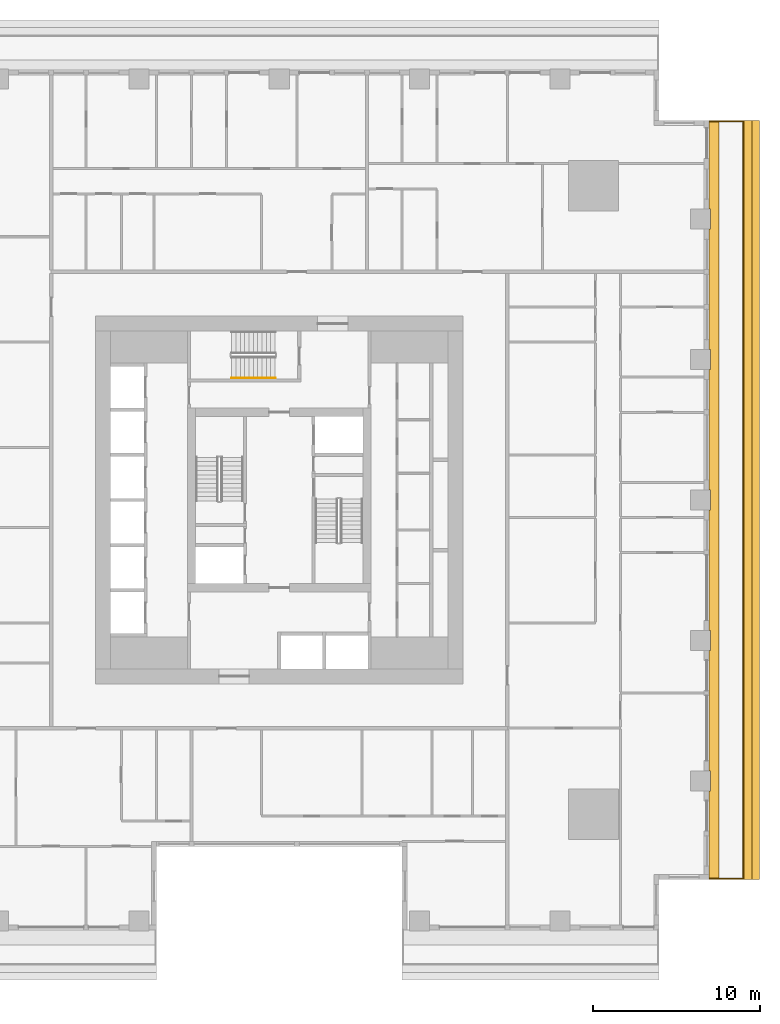
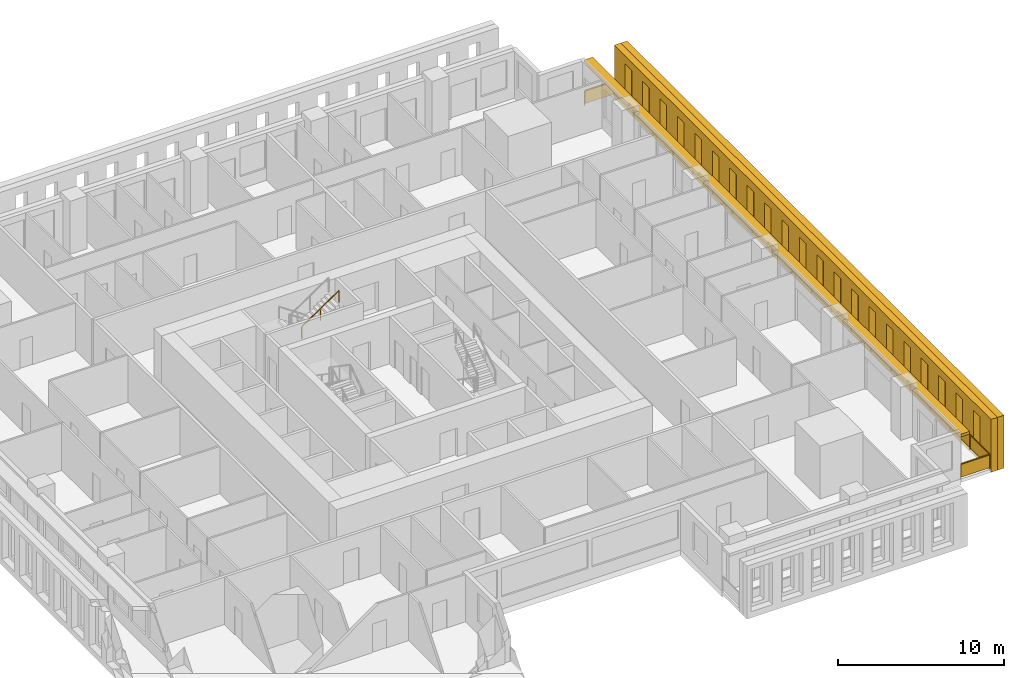
# One storey, part 13 of 15: 3 shading devices, 2 railings.
"""IFC4 building model written with IfcOpenShell, lengths in metres."""

from ifc_helpers import new_model, si_unit, direction, frame, origin, origin_2d, place, context, subcontext, project, spatial, polyline, rectangle, outline, extrude, material, layer, layer_set, type_object, element, save


model = new_model("IFC4")

# Units and contexts
model_context = context("Model", 3, precision=1e-05, world=origin(), true_north=direction((0.0, 1.0)))
body_context = subcontext(model_context, "Body", "Model", "MODEL_VIEW")
ifc_project = project(units=[si_unit("LENGTHUNIT", "METRE"), si_unit("AREAUNIT", "SQUARE_METRE"), si_unit("VOLUMEUNIT", "CUBIC_METRE"), si_unit("PLANEANGLEUNIT", "RADIAN"), si_unit("MASSUNIT", "GRAM", prefix="KILO")], contexts=[model_context])

# Site, building, storey
site_placement = place(None, origin())
site = spatial("IfcSite", under=ifc_project, at=site_placement, CompositionType="ELEMENT")
building_placement = place(site_placement, origin())
building = spatial("IfcBuilding", under=site, at=building_placement, Name="Khepri Terraces", CompositionType="ELEMENT")
storey_placement = place(building_placement, frame((0.0, 0.0, 46.5)))
storey = spatial("IfcBuildingStorey", under=building, at=storey_placement, Name="L10", CompositionType="ELEMENT", Elevation=46.5)

# Railings
ifc_material_1 = material(Name="Stainless steel grade 316", Category="steel")
railing_type_1 = type_object("IfcRailingType", Name="GRD-BAL-1100", PredefinedType="GUARDRAIL", material=ifc_material_1)
railing_1_placement = place(storey_placement, frame((25.719970703125, -22.669921875, 0.0)))
element("IfcRailing", 1, at=railing_1_placement, inside=storey, type_object=railing_type_1, Name="Balcony guard L10 E", PredefinedType="GUARDRAIL", context=body_context, shape_type="SweptSolid", body=[
    extrude(rectangle(XDim=0.050048828125, YDim=0.06005859375, at=origin_2d()), frame((0.0, 0.0, 1.070068359375), z_axis=(1.0, 0.0, 0.0), x_axis=(0.0, 1.0, 0.0)), (0.0, 0.0, 1.0), 2.050048828125),
    extrude(rectangle(XDim=2.0, YDim=0.011962890625, at=origin_2d()), frame((1.02490234375, 0.0, 0.10009765625), z_axis=(0.0, 0.0, 1.0), x_axis=(1.0, 0.0, 0.0)), (0.0, 0.0, 1.0), 0.93994140625),
    extrude(rectangle(XDim=0.050048828125, YDim=0.06005859375, at=origin_2d()), frame((2.050048828125, 0.0, 1.070068359375), z_axis=(0.0, 1.0, 0.0), x_axis=(-1.0, 0.0, 0.0)), (0.0, 0.0, 1.0), 45.33984375),
    extrude(rectangle(XDim=2.336181640625, YDim=0.011962890625, at=origin_2d()), frame((2.050048828125, 1.193115234375, 0.10009765625), z_axis=(0.0, 0.0, 1.0), x_axis=(0.0, 1.0, 0.0)), (0.0, 0.0, 1.0), 0.93994140625),
    extrude(rectangle(XDim=2.336181640625, YDim=0.011962890625, at=origin_2d()), frame((2.050048828125, 3.579345703125, 0.10009765625), z_axis=(0.0, 0.0, 1.0), x_axis=(0.0, 1.0, 0.0)), (0.0, 0.0, 1.0), 0.93994140625),
    extrude(rectangle(XDim=2.336181640625, YDim=0.011962890625, at=origin_2d()), frame((2.050048828125, 5.9658203125, 0.10009765625), z_axis=(0.0, 0.0, 1.0), x_axis=(0.0, 1.0, 0.0)), (0.0, 0.0, 1.0), 0.93994140625),
    extrude(rectangle(XDim=2.336181640625, YDim=0.011962890625, at=origin_2d()), frame((2.050048828125, 8.35205078125, 0.10009765625), z_axis=(0.0, 0.0, 1.0), x_axis=(0.0, 1.0, 0.0)), (0.0, 0.0, 1.0), 0.93994140625),
    extrude(rectangle(XDim=2.336181640625, YDim=0.011962890625, at=origin_2d()), frame((2.050048828125, 10.73828125, 0.10009765625), z_axis=(0.0, 0.0, 1.0), x_axis=(0.0, 1.0, 0.0)), (0.0, 0.0, 1.0), 0.93994140625),
    extrude(rectangle(XDim=2.336181640625, YDim=0.011962890625, at=origin_2d()), frame((2.050048828125, 13.124755859375, 0.10009765625), z_axis=(0.0, 0.0, 1.0), x_axis=(0.0, 1.0, 0.0)), (0.0, 0.0, 1.0), 0.93994140625),
    extrude(rectangle(XDim=2.336181640625, YDim=0.011962890625, at=origin_2d()), frame((2.050048828125, 15.510986328125, 0.10009765625), z_axis=(0.0, 0.0, 1.0), x_axis=(0.0, 1.0, 0.0)), (0.0, 0.0, 1.0), 0.93994140625),
    extrude(rectangle(XDim=2.336181640625, YDim=0.011962890625, at=origin_2d()), frame((2.050048828125, 17.897216796875, 0.10009765625), z_axis=(0.0, 0.0, 1.0), x_axis=(0.0, 1.0, 0.0)), (0.0, 0.0, 1.0), 0.93994140625),
    extrude(rectangle(XDim=2.336181640625, YDim=0.011962890625, at=origin_2d()), frame((2.050048828125, 20.28369140625, 0.10009765625), z_axis=(0.0, 0.0, 1.0), x_axis=(0.0, 1.0, 0.0)), (0.0, 0.0, 1.0), 0.93994140625),
    extrude(rectangle(XDim=2.336181640625, YDim=0.011962890625, at=origin_2d()), frame((2.050048828125, 22.669921875, 0.10009765625), z_axis=(0.0, 0.0, 1.0), x_axis=(0.0, 1.0, 0.0)), (0.0, 0.0, 1.0), 0.93994140625),
    extrude(rectangle(XDim=2.336181640625, YDim=0.011962890625, at=origin_2d()), frame((2.050048828125, 25.05615234375, 0.10009765625), z_axis=(0.0, 0.0, 1.0), x_axis=(0.0, 1.0, 0.0)), (0.0, 0.0, 1.0), 0.93994140625),
    extrude(rectangle(XDim=2.336181640625, YDim=0.011962890625, at=origin_2d()), frame((2.050048828125, 27.442626953125, 0.10009765625), z_axis=(0.0, 0.0, 1.0), x_axis=(0.0, 1.0, 0.0)), (0.0, 0.0, 1.0), 0.93994140625),
    extrude(rectangle(XDim=2.336181640625, YDim=0.011962890625, at=origin_2d()), frame((2.050048828125, 29.828857421875, 0.10009765625), z_axis=(0.0, 0.0, 1.0), x_axis=(0.0, 1.0, 0.0)), (0.0, 0.0, 1.0), 0.93994140625),
    extrude(rectangle(XDim=2.336181640625, YDim=0.011962890625, at=origin_2d()), frame((2.050048828125, 32.215087890625, 0.10009765625), z_axis=(0.0, 0.0, 1.0), x_axis=(0.0, 1.0, 0.0)), (0.0, 0.0, 1.0), 0.93994140625),
    extrude(rectangle(XDim=2.336181640625, YDim=0.011962890625, at=origin_2d()), frame((2.050048828125, 34.6015625, 0.10009765625), z_axis=(0.0, 0.0, 1.0), x_axis=(0.0, 1.0, 0.0)), (0.0, 0.0, 1.0), 0.93994140625),
    extrude(rectangle(XDim=2.336181640625, YDim=0.011962890625, at=origin_2d()), frame((2.050048828125, 36.98779296875, 0.10009765625), z_axis=(0.0, 0.0, 1.0), x_axis=(0.0, 1.0, 0.0)), (0.0, 0.0, 1.0), 0.93994140625),
    extrude(rectangle(XDim=2.336181640625, YDim=0.011962890625, at=origin_2d()), frame((2.050048828125, 39.3740234375, 0.10009765625), z_axis=(0.0, 0.0, 1.0), x_axis=(0.0, 1.0, 0.0)), (0.0, 0.0, 1.0), 0.93994140625),
    extrude(rectangle(XDim=2.336181640625, YDim=0.011962890625, at=origin_2d()), frame((2.050048828125, 41.760498046875, 0.10009765625), z_axis=(0.0, 0.0, 1.0), x_axis=(0.0, 1.0, 0.0)), (0.0, 0.0, 1.0), 0.93994140625),
    extrude(rectangle(XDim=2.336181640625, YDim=0.011962890625, at=origin_2d()), frame((2.050048828125, 44.146728515625, 0.10009765625), z_axis=(0.0, 0.0, 1.0), x_axis=(0.0, 1.0, 0.0)), (0.0, 0.0, 1.0), 0.93994140625),
    extrude(rectangle(XDim=0.050048828125, YDim=0.06005859375, at=origin_2d()), frame((2.050048828125, 45.33984375, 1.070068359375), z_axis=(-1.0, 0.0, 0.0), x_axis=(0.0, -1.0, 0.0)), (0.0, 0.0, 1.0), 2.050048828125),
    extrude(rectangle(XDim=2.0, YDim=0.011962890625, at=origin_2d()), frame((1.02490234375, 45.33984375, 0.10009765625), z_axis=(0.0, 0.0, 1.0), x_axis=(-1.0, 0.0, 0.0)), (0.0, 0.0, 1.0), 0.93994140625),
    extrude(rectangle(XDim=0.050048828125, YDim=0.050048828125, at=origin_2d()), origin(), (0.0, 0.0, 1.0), 1.0400390625),
    extrude(rectangle(XDim=0.050048828125, YDim=0.050048828125, at=origin_2d()), frame((2.050048828125, 0.0, 0.0)), (0.0, 0.0, 1.0), 1.0400390625),
    extrude(rectangle(XDim=0.050048828125, YDim=0.050048828125, at=origin_2d()), frame((2.050048828125, 2.38623046875, 0.0)), (0.0, 0.0, 1.0), 1.0400390625),
    extrude(rectangle(XDim=0.050048828125, YDim=0.050048828125, at=origin_2d()), frame((2.050048828125, 4.772705078125, 0.0)), (0.0, 0.0, 1.0), 1.0400390625),
    extrude(rectangle(XDim=0.050048828125, YDim=0.050048828125, at=origin_2d()), frame((2.050048828125, 7.158935546875, 0.0)), (0.0, 0.0, 1.0), 1.0400390625),
    extrude(rectangle(XDim=0.050048828125, YDim=0.050048828125, at=origin_2d()), frame((2.050048828125, 9.545166015625, 0.0)), (0.0, 0.0, 1.0), 1.0400390625),
    extrude(rectangle(XDim=0.050048828125, YDim=0.050048828125, at=origin_2d()), frame((2.050048828125, 11.931640625, 0.0)), (0.0, 0.0, 1.0), 1.0400390625),
    extrude(rectangle(XDim=0.050048828125, YDim=0.050048828125, at=origin_2d()), frame((2.050048828125, 14.31787109375, 0.0)), (0.0, 0.0, 1.0), 1.0400390625),
    extrude(rectangle(XDim=0.050048828125, YDim=0.050048828125, at=origin_2d()), frame((2.050048828125, 16.7041015625, 0.0)), (0.0, 0.0, 1.0), 1.0400390625),
    extrude(rectangle(XDim=0.050048828125, YDim=0.050048828125, at=origin_2d()), frame((2.050048828125, 19.090576171875, 0.0)), (0.0, 0.0, 1.0), 1.0400390625),
    extrude(rectangle(XDim=0.050048828125, YDim=0.050048828125, at=origin_2d()), frame((2.050048828125, 21.476806640625, 0.0)), (0.0, 0.0, 1.0), 1.0400390625),
    extrude(rectangle(XDim=0.050048828125, YDim=0.050048828125, at=origin_2d()), frame((2.050048828125, 23.863037109375, 0.0)), (0.0, 0.0, 1.0), 1.0400390625),
    extrude(rectangle(XDim=0.050048828125, YDim=0.050048828125, at=origin_2d()), frame((2.050048828125, 26.249267578125, 0.0)), (0.0, 0.0, 1.0), 1.0400390625),
    extrude(rectangle(XDim=0.050048828125, YDim=0.050048828125, at=origin_2d()), frame((2.050048828125, 28.6357421875, 0.0)), (0.0, 0.0, 1.0), 1.0400390625),
    extrude(rectangle(XDim=0.050048828125, YDim=0.050048828125, at=origin_2d()), frame((2.050048828125, 31.02197265625, 0.0)), (0.0, 0.0, 1.0), 1.0400390625),
    extrude(rectangle(XDim=0.050048828125, YDim=0.050048828125, at=origin_2d()), frame((2.050048828125, 33.408203125, 0.0)), (0.0, 0.0, 1.0), 1.0400390625),
    extrude(rectangle(XDim=0.050048828125, YDim=0.050048828125, at=origin_2d()), frame((2.050048828125, 35.794677734375, 0.0)), (0.0, 0.0, 1.0), 1.0400390625),
    extrude(rectangle(XDim=0.050048828125, YDim=0.050048828125, at=origin_2d()), frame((2.050048828125, 38.180908203125, 0.0)), (0.0, 0.0, 1.0), 1.0400390625),
    extrude(rectangle(XDim=0.050048828125, YDim=0.050048828125, at=origin_2d()), frame((2.050048828125, 40.567138671875, 0.0)), (0.0, 0.0, 1.0), 1.0400390625),
    extrude(rectangle(XDim=0.050048828125, YDim=0.050048828125, at=origin_2d()), frame((2.050048828125, 42.95361328125, 0.0)), (0.0, 0.0, 1.0), 1.0400390625),
    extrude(rectangle(XDim=0.050048828125, YDim=0.050048828125, at=origin_2d()), frame((2.050048828125, 45.33984375, 0.0)), (0.0, 0.0, 1.0), 1.0400390625),
    extrude(rectangle(XDim=0.050048828125, YDim=0.050048828125, at=origin_2d()), frame((0.0, 45.33984375, 0.0)), (0.0, 0.0, 1.0), 1.0400390625),
])
ifc_material_2 = material(Name="Stainless steel 316", Category="steel")
railing_type_2 = type_object("IfcRailingType", Name="RL-CORE-HANDRAIL", PredefinedType="HANDRAIL", material=ifc_material_2)
railing_2_placement = place(storey_placement, frame((-2.85009765625, 7.300048828125, 2.127197265625)))
element("IfcRailing", 2, at=railing_2_placement, inside=storey, type_object=railing_type_2, Name="L10 ST-3 stair handrail 2", PredefinedType="HANDRAIL", context=body_context, shape_type="SweptSolid", body=[
    extrude(rectangle(XDim=0.050048828125, YDim=0.050048828125, at=origin_2d()), frame((0.0, 0.0, 0.875), z_axis=(0.826240473404, 0.0, 0.563317565952), x_axis=(0.0, 1.0, 0.0)), (0.0, 0.0, 1.0), 3.14697265625),
    extrude(rectangle(XDim=0.050048828125, YDim=0.050048828125, at=origin_2d()), origin(), (0.0, 0.0, 1.0), 0.849853515625),
    extrude(rectangle(XDim=0.050048828125, YDim=0.050048828125, at=origin_2d()), frame((1.300048828125, 0.0, 0.88623046875)), (0.0, 0.0, 1.0), 0.849853515625),
    extrude(rectangle(XDim=0.050048828125, YDim=0.050048828125, at=origin_2d()), frame((2.60009765625, 0.0, 1.772705078125)), (0.0, 0.0, 1.0), 0.849853515625),
])

# Shading devices
ifc_material_3 = material(Name="Precast concrete C50/60 warm stone", Category="masonry")
shading_device_type_1 = type_object("IfcShadingDeviceType", Name="SCR-CELL-INNER-450", PredefinedType="USERDEFINED", material=ifc_material_3)
shading_device_1_placement = place(storey_placement, frame((27.820068359375, -22.719970703125, -0.25), z_axis=(1.0, 0.0, 0.0), x_axis=(0.0, 1.0, 0.0)))
element("IfcShadingDevice", 3, at=shading_device_1_placement, inside=storey, type_object=shading_device_type_1, Name="Cell screen L10 E in", ObjectType="SCREEN", PredefinedType="USERDEFINED", context=body_context, shape_type="SweptSolid", body=[
    extrude(outline(polyline([(0.0, 0.0), (45.43994140625, 0.0), (45.43994140625, 3.89990234375), (0.0, 3.89990234375), (0.0, 0.0)]), holes=[polyline([(1.318359375, 0.699951171875), (2.12158203125, 0.699951171875), (2.12158203125, 3.300048828125), (1.318359375, 3.300048828125), (1.318359375, 0.699951171875)]), polyline([(3.41845703125, 0.699951171875), (4.2216796875, 0.699951171875), (4.2216796875, 3.300048828125), (3.41845703125, 3.300048828125), (3.41845703125, 0.699951171875)]), polyline([(5.518310546875, 0.699951171875), (6.321533203125, 0.699951171875), (6.321533203125, 3.300048828125), (5.518310546875, 3.300048828125), (5.518310546875, 0.699951171875)]), polyline([(7.618408203125, 0.699951171875), (8.421630859375, 0.699951171875), (8.421630859375, 3.300048828125), (7.618408203125, 3.300048828125), (7.618408203125, 0.699951171875)]), polyline([(9.718505859375, 0.699951171875), (10.521484375, 0.699951171875), (10.521484375, 3.300048828125), (9.718505859375, 3.300048828125), (9.718505859375, 0.699951171875)]), polyline([(11.818359375, 0.699951171875), (12.62158203125, 0.699951171875), (12.62158203125, 3.300048828125), (11.818359375, 3.300048828125), (11.818359375, 0.699951171875)]), polyline([(13.91845703125, 0.699951171875), (14.7216796875, 0.699951171875), (14.7216796875, 3.300048828125), (13.91845703125, 3.300048828125), (13.91845703125, 0.699951171875)]), polyline([(16.018310546875, 0.699951171875), (16.821533203125, 0.699951171875), (16.821533203125, 3.300048828125), (16.018310546875, 3.300048828125), (16.018310546875, 0.699951171875)]), polyline([(18.118408203125, 0.699951171875), (18.921630859375, 0.699951171875), (18.921630859375, 3.300048828125), (18.118408203125, 3.300048828125), (18.118408203125, 0.699951171875)]), polyline([(20.218505859375, 0.699951171875), (21.021484375, 0.699951171875), (21.021484375, 3.300048828125), (20.218505859375, 3.300048828125), (20.218505859375, 0.699951171875)]), polyline([(22.318359375, 0.699951171875), (23.12158203125, 0.699951171875), (23.12158203125, 3.300048828125), (22.318359375, 3.300048828125), (22.318359375, 0.699951171875)]), polyline([(24.41845703125, 0.699951171875), (25.2216796875, 0.699951171875), (25.2216796875, 3.300048828125), (24.41845703125, 3.300048828125), (24.41845703125, 0.699951171875)]), polyline([(26.518310546875, 0.699951171875), (27.321533203125, 0.699951171875), (27.321533203125, 3.300048828125), (26.518310546875, 3.300048828125), (26.518310546875, 0.699951171875)]), polyline([(28.618408203125, 0.699951171875), (29.421630859375, 0.699951171875), (29.421630859375, 3.300048828125), (28.618408203125, 3.300048828125), (28.618408203125, 0.699951171875)]), polyline([(30.718505859375, 0.699951171875), (31.521484375, 0.699951171875), (31.521484375, 3.300048828125), (30.718505859375, 3.300048828125), (30.718505859375, 0.699951171875)]), polyline([(32.818359375, 0.699951171875), (33.62158203125, 0.699951171875), (33.62158203125, 3.300048828125), (32.818359375, 3.300048828125), (32.818359375, 0.699951171875)]), polyline([(34.91845703125, 0.699951171875), (35.7216796875, 0.699951171875), (35.7216796875, 3.300048828125), (34.91845703125, 3.300048828125), (34.91845703125, 0.699951171875)]), polyline([(37.018310546875, 0.699951171875), (37.821533203125, 0.699951171875), (37.821533203125, 3.300048828125), (37.018310546875, 3.300048828125), (37.018310546875, 0.699951171875)]), polyline([(39.118408203125, 0.699951171875), (39.921630859375, 0.699951171875), (39.921630859375, 3.300048828125), (39.118408203125, 3.300048828125), (39.118408203125, 0.699951171875)]), polyline([(41.218505859375, 0.699951171875), (42.021484375, 0.699951171875), (42.021484375, 3.300048828125), (41.218505859375, 3.300048828125), (41.218505859375, 0.699951171875)]), polyline([(43.318359375, 0.699951171875), (44.12158203125, 0.699951171875), (44.12158203125, 3.300048828125), (43.318359375, 3.300048828125), (43.318359375, 0.699951171875)])]), origin(), (0.0, 0.0, 1.0), 0.449951171875),
])
shading_device_type_2 = type_object("IfcShadingDeviceType", Name="SCR-CELL-OUTER-450", PredefinedType="USERDEFINED", material=ifc_material_3)
shading_device_2_placement = place(storey_placement, frame((28.27001953125, -22.719970703125, -0.25), z_axis=(1.0, 0.0, 0.0), x_axis=(0.0, 1.0, 0.0)))
element("IfcShadingDevice", 4, at=shading_device_2_placement, inside=storey, type_object=shading_device_type_2, Name="Cell screen L10 E out", ObjectType="SCREEN", PredefinedType="USERDEFINED", context=body_context, shape_type="SweptSolid", body=[
    extrude(outline(polyline([(0.0, 0.0), (45.43994140625, 0.0), (45.43994140625, 3.89990234375), (0.0, 3.89990234375), (0.0, 0.0)]), holes=[polyline([(0.968505859375, 0.449951171875), (2.4716796875, 0.449951171875), (2.4716796875, 3.550048828125), (0.968505859375, 3.550048828125), (0.968505859375, 0.449951171875)]), polyline([(3.068359375, 0.449951171875), (4.571533203125, 0.449951171875), (4.571533203125, 3.550048828125), (3.068359375, 3.550048828125), (3.068359375, 0.449951171875)]), polyline([(5.16845703125, 0.449951171875), (6.671630859375, 0.449951171875), (6.671630859375, 3.550048828125), (5.16845703125, 3.550048828125), (5.16845703125, 0.449951171875)]), polyline([(7.268310546875, 0.449951171875), (8.771484375, 0.449951171875), (8.771484375, 3.550048828125), (7.268310546875, 3.550048828125), (7.268310546875, 0.449951171875)]), polyline([(9.368408203125, 0.449951171875), (10.87158203125, 0.449951171875), (10.87158203125, 3.550048828125), (9.368408203125, 3.550048828125), (9.368408203125, 0.449951171875)]), polyline([(11.468505859375, 0.449951171875), (12.9716796875, 0.449951171875), (12.9716796875, 3.550048828125), (11.468505859375, 3.550048828125), (11.468505859375, 0.449951171875)]), polyline([(13.568359375, 0.449951171875), (15.071533203125, 0.449951171875), (15.071533203125, 3.550048828125), (13.568359375, 3.550048828125), (13.568359375, 0.449951171875)]), polyline([(15.66845703125, 0.449951171875), (17.171630859375, 0.449951171875), (17.171630859375, 3.550048828125), (15.66845703125, 3.550048828125), (15.66845703125, 0.449951171875)]), polyline([(17.768310546875, 0.449951171875), (19.271484375, 0.449951171875), (19.271484375, 3.550048828125), (17.768310546875, 3.550048828125), (17.768310546875, 0.449951171875)]), polyline([(19.868408203125, 0.449951171875), (21.37158203125, 0.449951171875), (21.37158203125, 3.550048828125), (19.868408203125, 3.550048828125), (19.868408203125, 0.449951171875)]), polyline([(21.968505859375, 0.449951171875), (23.4716796875, 0.449951171875), (23.4716796875, 3.550048828125), (21.968505859375, 3.550048828125), (21.968505859375, 0.449951171875)]), polyline([(24.068359375, 0.449951171875), (25.571533203125, 0.449951171875), (25.571533203125, 3.550048828125), (24.068359375, 3.550048828125), (24.068359375, 0.449951171875)]), polyline([(26.16845703125, 0.449951171875), (27.671630859375, 0.449951171875), (27.671630859375, 3.550048828125), (26.16845703125, 3.550048828125), (26.16845703125, 0.449951171875)]), polyline([(28.268310546875, 0.449951171875), (29.771484375, 0.449951171875), (29.771484375, 3.550048828125), (28.268310546875, 3.550048828125), (28.268310546875, 0.449951171875)]), polyline([(30.368408203125, 0.449951171875), (31.87158203125, 0.449951171875), (31.87158203125, 3.550048828125), (30.368408203125, 3.550048828125), (30.368408203125, 0.449951171875)]), polyline([(32.468505859375, 0.449951171875), (33.9716796875, 0.449951171875), (33.9716796875, 3.550048828125), (32.468505859375, 3.550048828125), (32.468505859375, 0.449951171875)]), polyline([(34.568359375, 0.449951171875), (36.071533203125, 0.449951171875), (36.071533203125, 3.550048828125), (34.568359375, 3.550048828125), (34.568359375, 0.449951171875)]), polyline([(36.66845703125, 0.449951171875), (38.171630859375, 0.449951171875), (38.171630859375, 3.550048828125), (36.66845703125, 3.550048828125), (36.66845703125, 0.449951171875)]), polyline([(38.768310546875, 0.449951171875), (40.271484375, 0.449951171875), (40.271484375, 3.550048828125), (38.768310546875, 3.550048828125), (38.768310546875, 0.449951171875)]), polyline([(40.868408203125, 0.449951171875), (42.37158203125, 0.449951171875), (42.37158203125, 3.550048828125), (40.868408203125, 3.550048828125), (40.868408203125, 0.449951171875)]), polyline([(42.968505859375, 0.449951171875), (44.4716796875, 0.449951171875), (44.4716796875, 3.550048828125), (42.968505859375, 3.550048828125), (42.968505859375, 0.449951171875)])]), origin(), (0.0, 0.0, 1.0), 0.449951171875),
])
ifc_layer = layer(ifc_material_3, 0.199951171875, Name="Precast concrete C50/60 warm stone", Category="masonry")
ifc_layer_set = layer_set([ifc_layer], Name="Precast concrete C50/60 warm stone")
shading_device_type_3 = type_object("IfcShadingDeviceType", Name="SSH-BAND-STONE-200-N", PredefinedType="USERDEFINED", material=ifc_layer_set)
shading_device_3_placement = place(storey_placement, frame((0.0, 0.0, 3.10009765625)))
element("IfcShadingDevice", 5, at=shading_device_3_placement, inside=storey, type_object=shading_device_type_3, Name="Sunshade band L10 E", ObjectType="SUNSHADE", PredefinedType="USERDEFINED", context=body_context, shape_type="SweptSolid", body=[
    extrude(outline(polyline([(25.719970703125, -17.39990234375), (25.719970703125, -22.719970703125), (26.320068359375, -22.719970703125), (26.320068359375, 22.719970703125), (25.719970703125, 22.719970703125), (25.719970703125, 17.39990234375), (25.800048828125, 17.39990234375), (25.800048828125, 16.199951171875), (25.719970703125, 16.199951171875), (25.719970703125, 9.0), (25.800048828125, 9.0), (25.800048828125, 7.800048828125), (25.719970703125, 7.800048828125), (25.719970703125, 0.60009765625), (25.800048828125, 0.60009765625), (25.800048828125, -0.60009765625), (25.719970703125, -0.60009765625), (25.719970703125, -7.800048828125), (25.800048828125, -7.800048828125), (25.800048828125, -9.0), (25.719970703125, -9.0), (25.719970703125, -16.199951171875), (25.800048828125, -16.199951171875), (25.800048828125, -17.39990234375), (25.719970703125, -17.39990234375)])), origin(), (0.0, 0.0, 1.0), 0.199951171875),
])

save(model, "model.ifc")
